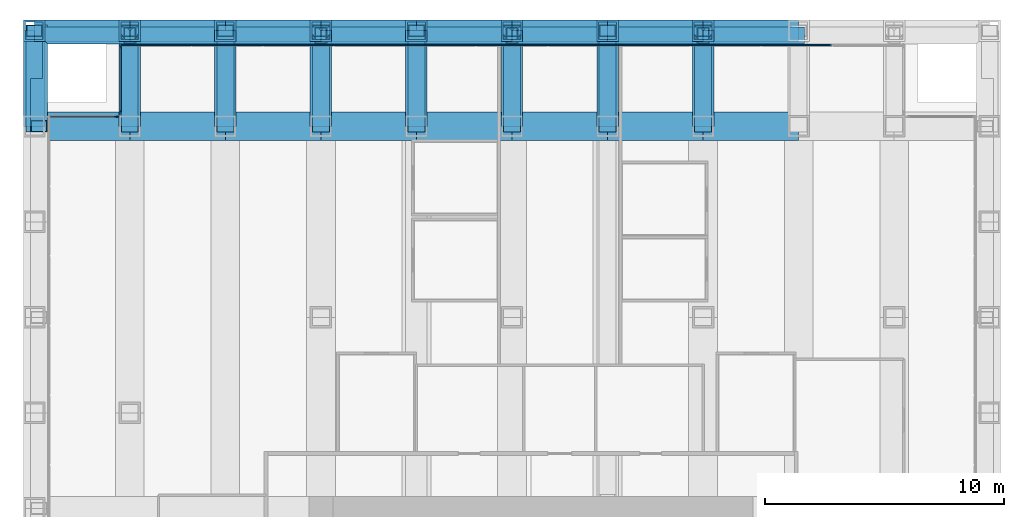
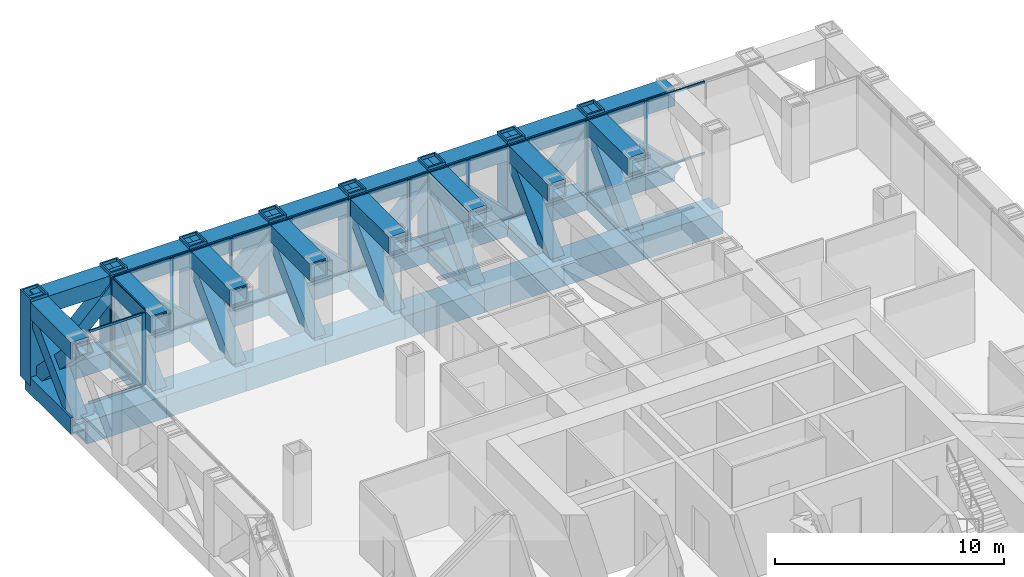
# One storey, part 7 of 16: 62 members, 40 beams, 3 elements without a shape of their own.
"""IFC4 building model written with IfcOpenShell, lengths in metres."""

from ifc_helpers import new_model, si_unit, direction, frame, origin, origin_2d, place, context, subcontext, project, spatial, rectangle, hollow_rectangle, extrude, material, material_profile, profile_set, type_object, element, aggregate, save


model = new_model("IFC4")

# Units and contexts
model_context = context("Model", 3, precision=1e-05, world=origin(), true_north=direction((0.0, 1.0)))
body_context = subcontext(model_context, "Body", "Model", "MODEL_VIEW")
ifc_project = project(units=[si_unit("LENGTHUNIT", "METRE"), si_unit("AREAUNIT", "SQUARE_METRE"), si_unit("VOLUMEUNIT", "CUBIC_METRE"), si_unit("PLANEANGLEUNIT", "RADIAN"), si_unit("MASSUNIT", "GRAM", prefix="KILO")], contexts=[model_context])

# Site, building, storey
site_placement = place(None, origin())
site = spatial("IfcSite", under=ifc_project, at=site_placement, CompositionType="ELEMENT")
building_placement = place(site_placement, origin())
building = spatial("IfcBuilding", under=site, at=building_placement, Name="Rimbunsela Tower", CompositionType="ELEMENT")
storey_placement = place(building_placement, frame((0.0, 0.0, 171.800048828125)))
storey = spatial("IfcBuildingStorey", under=building, at=storey_placement, Name="L41", CompositionType="ELEMENT", Elevation=171.800048828125)

# Beams
ifc_material_1 = material(Name="Steel BJ 55 (fy 410 MPa)", Category="steel")
ifc_material_profile_1 = material_profile(ifc_material_1, hollow_rectangle(XDim=1.199951171875, YDim=1.199951171875, WallThickness=0.125, at=origin_2d()), Name="BOX 1200x1200x125")
ifc_profile_set_1 = profile_set([ifc_material_profile_1], Name="Steel BJ 55 (fy 410 MPa)")
beam_type_1 = type_object("IfcBeamType", Name="Beam BOX 1200x1200x125", PredefinedType="BEAM", material=ifc_profile_set_1)
for number, where, z_axis, x_axis, name in (
    (1, (6.0, 52.0, -0.75), (1.0, 0.0, 0.0), (0.0, 1.0, 0.0), "Beam B4 L41"),
    (2, (10.0, 52.0, -0.75), (1.0, 0.0, 0.0), (0.0, 1.0, 0.0), "Beam B4 L41"),
    (3, (14.0, 52.0, -0.75), (1.0, 0.0, 0.0), (0.0, 1.0, 0.0), "Beam B4 L41"),
    (4, (18.0, 52.0, -0.75), (1.0, 0.0, 0.0), (0.0, 1.0, 0.0), "Beam B4 L41"),
    (5, (22.0, 52.0, -0.75), (1.0, 0.0, 0.0), (0.0, 1.0, 0.0), "Beam B4 L41"),
    (6, (26.0, 52.0, -0.75), (1.0, 0.0, 0.0), (0.0, 1.0, 0.0), "Beam B4 L41"),
    (7, (30.0, 52.0, -0.75), (1.0, 0.0, 0.0), (0.0, 1.0, 0.0), "Beam B4 L41"),
    (8, (34.0, 52.0, -0.75), (1.0, 0.0, 0.0), (0.0, 1.0, 0.0), "Beam B4 L41"),
):
    element("IfcBeam", number, at=place(storey_placement, frame(where, z_axis=z_axis, x_axis=x_axis)), inside=storey, type_object=beam_type_1, Name=name, PredefinedType="BEAM", context=body_context, shape_type="SweptSolid", body=[
        extrude(hollow_rectangle(XDim=1.199951171875, YDim=1.199951171875, WallThickness=0.125, at=origin_2d()), origin(), (0.0, 0.0, 1.0), 4.0),
    ])

# Curtain wall, members
ifc_material_2 = material(Name="Aluminium curtain wall", Category="aluminium")
curtain_wall_type_1 = type_object("IfcCurtainWallType", Name="Exoskeleton storey infill", PredefinedType="USERDEFINED", material=ifc_material_2)
curtain_wall_1_placement = place(storey_placement, origin())
curtain_wall_1 = element("IfcCurtainWall", 9, at=curtain_wall_1_placement, inside=storey, type_object=curtain_wall_type_1, Name="Exoskeleton storey infill L41", ObjectType="EXOSKELETON STOREY INFILL", PredefinedType="USERDEFINED")
ifc_material_3 = material(Name="Aluminium mullion", Category="aluminium")
ifc_material_profile_2 = material_profile(ifc_material_3, rectangle(XDim=0.06005859375, YDim=0.159912109375, at=origin_2d()), Name="Mullion 60x160")
ifc_profile_set_2 = profile_set([ifc_material_profile_2], Name="Aluminium mullion")
member_type_1 = type_object("IfcMemberType", Name="Curtain wall mullion 60x160", PredefinedType="MULLION", material=ifc_profile_set_2)
member_1_placement = place(storey_placement, frame((36.436279296875, 55.39990234375, 0.0), z_axis=(0.0, 0.0, 1.0), x_axis=(0.0, -1.0, 0.0)))
member_1 = element("IfcMember", 10, at=member_1_placement, type_object=member_type_1, Name="CW2 mullion 3", PredefinedType="MULLION", context=body_context, shape_type="SweptSolid", body=[
    extrude(rectangle(XDim=0.06005859375, YDim=0.159912109375, at=origin_2d()), origin(), (0.0, 0.0, 1.0), 3.849853515625),
])
member_2_placement = place(storey_placement, frame((33.45458984375, 55.39990234375, 0.0), z_axis=(0.0, 0.0, 1.0), x_axis=(0.0, -1.0, 0.0)))
member_2 = element("IfcMember", 11, at=member_2_placement, type_object=member_type_1, Name="CW2 mullion 4", PredefinedType="MULLION", context=body_context, shape_type="SweptSolid", body=[
    extrude(rectangle(XDim=0.06005859375, YDim=0.159912109375, at=origin_2d()), origin(), (0.0, 0.0, 1.0), 3.849853515625),
])
member_3_placement = place(storey_placement, frame((30.47265625, 55.39990234375, 0.0), z_axis=(0.0, 0.0, 1.0), x_axis=(0.0, -1.0, 0.0)))
member_3 = element("IfcMember", 12, at=member_3_placement, type_object=member_type_1, Name="CW2 mullion 5", PredefinedType="MULLION", context=body_context, shape_type="SweptSolid", body=[
    extrude(rectangle(XDim=0.06005859375, YDim=0.159912109375, at=origin_2d()), origin(), (0.0, 0.0, 1.0), 3.849853515625),
])
member_4_placement = place(storey_placement, frame((27.490966796875, 55.39990234375, 0.0), z_axis=(0.0, 0.0, 1.0), x_axis=(0.0, -1.0, 0.0)))
member_4 = element("IfcMember", 13, at=member_4_placement, type_object=member_type_1, Name="CW2 mullion 6", PredefinedType="MULLION", context=body_context, shape_type="SweptSolid", body=[
    extrude(rectangle(XDim=0.06005859375, YDim=0.159912109375, at=origin_2d()), origin(), (0.0, 0.0, 1.0), 3.849853515625),
])
member_5_placement = place(storey_placement, frame((24.509033203125, 55.39990234375, 0.0), z_axis=(0.0, 0.0, 1.0), x_axis=(0.0, -1.0, 0.0)))
member_5 = element("IfcMember", 14, at=member_5_placement, type_object=member_type_1, Name="CW2 mullion 7", PredefinedType="MULLION", context=body_context, shape_type="SweptSolid", body=[
    extrude(rectangle(XDim=0.06005859375, YDim=0.159912109375, at=origin_2d()), origin(), (0.0, 0.0, 1.0), 3.849853515625),
])
member_6_placement = place(storey_placement, frame((21.52734375, 55.39990234375, 0.0), z_axis=(0.0, 0.0, 1.0), x_axis=(0.0, -1.0, 0.0)))
member_6 = element("IfcMember", 15, at=member_6_placement, type_object=member_type_1, Name="CW2 mullion 8", PredefinedType="MULLION", context=body_context, shape_type="SweptSolid", body=[
    extrude(rectangle(XDim=0.06005859375, YDim=0.159912109375, at=origin_2d()), origin(), (0.0, 0.0, 1.0), 3.849853515625),
])
member_7_placement = place(storey_placement, frame((18.54541015625, 55.39990234375, 0.0), z_axis=(0.0, 0.0, 1.0), x_axis=(0.0, -1.0, 0.0)))
member_7 = element("IfcMember", 16, at=member_7_placement, type_object=member_type_1, Name="CW2 mullion 9", PredefinedType="MULLION", context=body_context, shape_type="SweptSolid", body=[
    extrude(rectangle(XDim=0.06005859375, YDim=0.159912109375, at=origin_2d()), origin(), (0.0, 0.0, 1.0), 3.849853515625),
])
member_8_placement = place(storey_placement, frame((15.563720703125, 55.39990234375, 0.0), z_axis=(0.0, 0.0, 1.0), x_axis=(0.0, -1.0, 0.0)))
member_8 = element("IfcMember", 17, at=member_8_placement, type_object=member_type_1, Name="CW2 mullion 10", PredefinedType="MULLION", context=body_context, shape_type="SweptSolid", body=[
    extrude(rectangle(XDim=0.06005859375, YDim=0.159912109375, at=origin_2d()), origin(), (0.0, 0.0, 1.0), 3.849853515625),
])
member_9_placement = place(storey_placement, frame((12.581787109375, 55.39990234375, 0.0), z_axis=(0.0, 0.0, 1.0), x_axis=(0.0, -1.0, 0.0)))
member_9 = element("IfcMember", 18, at=member_9_placement, type_object=member_type_1, Name="CW2 mullion 11", PredefinedType="MULLION", context=body_context, shape_type="SweptSolid", body=[
    extrude(rectangle(XDim=0.06005859375, YDim=0.159912109375, at=origin_2d()), origin(), (0.0, 0.0, 1.0), 3.849853515625),
])
member_10_placement = place(storey_placement, frame((9.6298828125, 55.39990234375, 0.0), z_axis=(0.0, 0.0, 1.0), x_axis=(0.0, -1.0, 0.0)))
member_10 = element("IfcMember", 19, at=member_10_placement, type_object=member_type_1, Name="CW2 mullion 12", PredefinedType="MULLION", context=body_context, shape_type="SweptSolid", body=[
    extrude(rectangle(XDim=0.06005859375, YDim=0.159912109375, at=origin_2d()), origin(), (0.0, 0.0, 1.0), 3.849853515625),
])

ifc_material_4 = material(Name="Aluminium curtain wall", Category="aluminium")
curtain_wall_type_2 = type_object("IfcCurtainWallType", Name="Spandrel wall", PredefinedType="USERDEFINED", material=ifc_material_4)
curtain_wall_2_placement = place(storey_placement, origin())
curtain_wall_2 = element("IfcCurtainWall", 20, at=curtain_wall_2_placement, inside=storey, type_object=curtain_wall_type_2, Name="Spandrel wall L41", ObjectType="SPANDREL WALL", PredefinedType="USERDEFINED")
member_11_placement = place(storey_placement, frame((9.60009765625, 55.3701171875, 0.0), z_axis=(0.0, 0.0, 1.0), x_axis=(1.0, 0.0, 0.0)))
member_11 = element("IfcMember", 21, at=member_11_placement, type_object=member_type_1, Name="CW7 mullion 1", PredefinedType="MULLION", context=body_context, shape_type="SweptSolid", body=[
    extrude(rectangle(XDim=0.06005859375, YDim=0.159912109375, at=origin_2d()), origin(), (0.0, 0.0, 1.0), 3.849853515625),
])
member_12_placement = place(storey_placement, frame((9.60009765625, 52.580078125, 0.0), z_axis=(0.0, 0.0, 1.0), x_axis=(1.0, 0.0, 0.0)))
member_12 = element("IfcMember", 22, at=member_12_placement, type_object=member_type_1, Name="CW7 mullion 2", PredefinedType="MULLION", context=body_context, shape_type="SweptSolid", body=[
    extrude(rectangle(XDim=0.06005859375, YDim=0.159912109375, at=origin_2d()), origin(), (0.0, 0.0, 1.0), 3.849853515625),
])

# Curtain wall, member
ifc_material_5 = material(Name="Aluminium curtain wall", Category="aluminium")
curtain_wall_type_3 = type_object("IfcCurtainWallType", Name="Corner glazing", PredefinedType="USERDEFINED", material=ifc_material_5)
curtain_wall_3_placement = place(storey_placement, origin())
curtain_wall_3 = element("IfcCurtainWall", 23, at=curtain_wall_3_placement, inside=storey, type_object=curtain_wall_type_3, Name="Corner glazing L41", ObjectType="CORNER GLAZING", PredefinedType="USERDEFINED")
member_13_placement = place(storey_placement, frame((9.419921875, 52.39990234375, 0.0), z_axis=(0.0, 0.0, 1.0), x_axis=(0.0, -1.0, 0.0)))
member_13 = element("IfcMember", 24, at=member_13_placement, type_object=member_type_1, Name="CW5 mullion 1", PredefinedType="MULLION", context=body_context, shape_type="SweptSolid", body=[
    extrude(rectangle(XDim=0.06005859375, YDim=0.159912109375, at=origin_2d()), origin(), (0.0, 0.0, 1.0), 3.849853515625),
])

# Member
ifc_material_6 = material(Name="Aluminium transom", Category="aluminium")
ifc_material_profile_3 = material_profile(ifc_material_6, rectangle(XDim=0.06005859375, YDim=0.1201171875, at=origin_2d()), Name="Transom 60x120")
ifc_profile_set_3 = profile_set([ifc_material_profile_3], Name="Aluminium transom")
member_type_2 = type_object("IfcMemberType", Name="Curtain wall transom 60x120", PredefinedType="USERDEFINED", material=ifc_profile_set_3)
member_14_placement = place(storey_placement, frame((39.38818359375, 55.39990234375, 0.030029296875), z_axis=(-1.0, 0.0, 0.0), x_axis=(0.0, -1.0, 0.0)))
member_14 = element("IfcMember", 25, at=member_14_placement, type_object=member_type_2, Name="CW2 transom 2.1", ObjectType="TRANSOM", PredefinedType="USERDEFINED", context=body_context, shape_type="SweptSolid", body=[
    extrude(rectangle(XDim=0.06005859375, YDim=0.1201171875, at=origin_2d()), origin(), (0.0, 0.0, 1.0), 2.921875),
])

member_15_placement = place(storey_placement, frame((39.38818359375, 55.39990234375, 3.820068359375), z_axis=(-1.0, 0.0, 0.0), x_axis=(0.0, -1.0, 0.0)))
member_15 = element("IfcMember", 26, at=member_15_placement, type_object=member_type_2, Name="CW2 transom 2.2", ObjectType="TRANSOM", PredefinedType="USERDEFINED", context=body_context, shape_type="SweptSolid", body=[
    extrude(rectangle(XDim=0.06005859375, YDim=0.1201171875, at=origin_2d()), origin(), (0.0, 0.0, 1.0), 2.921875),
])

member_16_placement = place(storey_placement, frame((36.40625, 55.39990234375, 0.030029296875), z_axis=(-1.0, 0.0, 0.0), x_axis=(0.0, -1.0, 0.0)))
member_16 = element("IfcMember", 27, at=member_16_placement, type_object=member_type_2, Name="CW2 transom 3.1", ObjectType="TRANSOM", PredefinedType="USERDEFINED", context=body_context, shape_type="SweptSolid", body=[
    extrude(rectangle(XDim=0.06005859375, YDim=0.1201171875, at=origin_2d()), origin(), (0.0, 0.0, 1.0), 2.921630859375),
])

member_17_placement = place(storey_placement, frame((36.40625, 55.39990234375, 3.820068359375), z_axis=(-1.0, 0.0, 0.0), x_axis=(0.0, -1.0, 0.0)))
member_17 = element("IfcMember", 28, at=member_17_placement, type_object=member_type_2, Name="CW2 transom 3.2", ObjectType="TRANSOM", PredefinedType="USERDEFINED", context=body_context, shape_type="SweptSolid", body=[
    extrude(rectangle(XDim=0.06005859375, YDim=0.1201171875, at=origin_2d()), origin(), (0.0, 0.0, 1.0), 2.921630859375),
])

member_18_placement = place(storey_placement, frame((33.424560546875, 55.39990234375, 0.030029296875), z_axis=(-1.0, 0.0, 0.0), x_axis=(0.0, -1.0, 0.0)))
member_18 = element("IfcMember", 29, at=member_18_placement, type_object=member_type_2, Name="CW2 transom 4.1", ObjectType="TRANSOM", PredefinedType="USERDEFINED", context=body_context, shape_type="SweptSolid", body=[
    extrude(rectangle(XDim=0.06005859375, YDim=0.1201171875, at=origin_2d()), origin(), (0.0, 0.0, 1.0), 2.921875),
])

member_19_placement = place(storey_placement, frame((33.424560546875, 55.39990234375, 3.820068359375), z_axis=(-1.0, 0.0, 0.0), x_axis=(0.0, -1.0, 0.0)))
member_19 = element("IfcMember", 30, at=member_19_placement, type_object=member_type_2, Name="CW2 transom 4.2", ObjectType="TRANSOM", PredefinedType="USERDEFINED", context=body_context, shape_type="SweptSolid", body=[
    extrude(rectangle(XDim=0.06005859375, YDim=0.1201171875, at=origin_2d()), origin(), (0.0, 0.0, 1.0), 2.921875),
])

member_20_placement = place(storey_placement, frame((30.442626953125, 55.39990234375, 0.030029296875), z_axis=(-1.0, 0.0, 0.0), x_axis=(0.0, -1.0, 0.0)))
member_20 = element("IfcMember", 31, at=member_20_placement, type_object=member_type_2, Name="CW2 transom 5.1", ObjectType="TRANSOM", PredefinedType="USERDEFINED", context=body_context, shape_type="SweptSolid", body=[
    extrude(rectangle(XDim=0.06005859375, YDim=0.1201171875, at=origin_2d()), origin(), (0.0, 0.0, 1.0), 2.921630859375),
])

member_21_placement = place(storey_placement, frame((30.442626953125, 55.39990234375, 3.820068359375), z_axis=(-1.0, 0.0, 0.0), x_axis=(0.0, -1.0, 0.0)))
member_21 = element("IfcMember", 32, at=member_21_placement, type_object=member_type_2, Name="CW2 transom 5.2", ObjectType="TRANSOM", PredefinedType="USERDEFINED", context=body_context, shape_type="SweptSolid", body=[
    extrude(rectangle(XDim=0.06005859375, YDim=0.1201171875, at=origin_2d()), origin(), (0.0, 0.0, 1.0), 2.921630859375),
])

member_22_placement = place(storey_placement, frame((27.4609375, 55.39990234375, 0.030029296875), z_axis=(-1.0, 0.0, 0.0), x_axis=(0.0, -1.0, 0.0)))
member_22 = element("IfcMember", 33, at=member_22_placement, type_object=member_type_2, Name="CW2 transom 6.1", ObjectType="TRANSOM", PredefinedType="USERDEFINED", context=body_context, shape_type="SweptSolid", body=[
    extrude(rectangle(XDim=0.06005859375, YDim=0.1201171875, at=origin_2d()), origin(), (0.0, 0.0, 1.0), 2.921875),
])

member_23_placement = place(storey_placement, frame((27.4609375, 55.39990234375, 3.820068359375), z_axis=(-1.0, 0.0, 0.0), x_axis=(0.0, -1.0, 0.0)))
member_23 = element("IfcMember", 34, at=member_23_placement, type_object=member_type_2, Name="CW2 transom 6.2", ObjectType="TRANSOM", PredefinedType="USERDEFINED", context=body_context, shape_type="SweptSolid", body=[
    extrude(rectangle(XDim=0.06005859375, YDim=0.1201171875, at=origin_2d()), origin(), (0.0, 0.0, 1.0), 2.921875),
])

member_24_placement = place(storey_placement, frame((24.47900390625, 55.39990234375, 0.030029296875), z_axis=(-1.0, 0.0, 0.0), x_axis=(0.0, -1.0, 0.0)))
member_24 = element("IfcMember", 35, at=member_24_placement, type_object=member_type_2, Name="CW2 transom 7.1", ObjectType="TRANSOM", PredefinedType="USERDEFINED", context=body_context, shape_type="SweptSolid", body=[
    extrude(rectangle(XDim=0.06005859375, YDim=0.1201171875, at=origin_2d()), origin(), (0.0, 0.0, 1.0), 2.921630859375),
])

member_25_placement = place(storey_placement, frame((24.47900390625, 55.39990234375, 3.820068359375), z_axis=(-1.0, 0.0, 0.0), x_axis=(0.0, -1.0, 0.0)))
member_25 = element("IfcMember", 36, at=member_25_placement, type_object=member_type_2, Name="CW2 transom 7.2", ObjectType="TRANSOM", PredefinedType="USERDEFINED", context=body_context, shape_type="SweptSolid", body=[
    extrude(rectangle(XDim=0.06005859375, YDim=0.1201171875, at=origin_2d()), origin(), (0.0, 0.0, 1.0), 2.921630859375),
])

member_26_placement = place(storey_placement, frame((21.497314453125, 55.39990234375, 0.030029296875), z_axis=(-1.0, 0.0, 0.0), x_axis=(0.0, -1.0, 0.0)))
member_26 = element("IfcMember", 37, at=member_26_placement, type_object=member_type_2, Name="CW2 transom 8.1", ObjectType="TRANSOM", PredefinedType="USERDEFINED", context=body_context, shape_type="SweptSolid", body=[
    extrude(rectangle(XDim=0.06005859375, YDim=0.1201171875, at=origin_2d()), origin(), (0.0, 0.0, 1.0), 2.921875),
])

member_27_placement = place(storey_placement, frame((21.497314453125, 55.39990234375, 3.820068359375), z_axis=(-1.0, 0.0, 0.0), x_axis=(0.0, -1.0, 0.0)))
member_27 = element("IfcMember", 38, at=member_27_placement, type_object=member_type_2, Name="CW2 transom 8.2", ObjectType="TRANSOM", PredefinedType="USERDEFINED", context=body_context, shape_type="SweptSolid", body=[
    extrude(rectangle(XDim=0.06005859375, YDim=0.1201171875, at=origin_2d()), origin(), (0.0, 0.0, 1.0), 2.921875),
])

member_28_placement = place(storey_placement, frame((18.515380859375, 55.39990234375, 0.030029296875), z_axis=(-1.0, 0.0, 0.0), x_axis=(0.0, -1.0, 0.0)))
member_28 = element("IfcMember", 39, at=member_28_placement, type_object=member_type_2, Name="CW2 transom 9.1", ObjectType="TRANSOM", PredefinedType="USERDEFINED", context=body_context, shape_type="SweptSolid", body=[
    extrude(rectangle(XDim=0.06005859375, YDim=0.1201171875, at=origin_2d()), origin(), (0.0, 0.0, 1.0), 2.921630859375),
])

member_29_placement = place(storey_placement, frame((18.515380859375, 55.39990234375, 3.820068359375), z_axis=(-1.0, 0.0, 0.0), x_axis=(0.0, -1.0, 0.0)))
member_29 = element("IfcMember", 40, at=member_29_placement, type_object=member_type_2, Name="CW2 transom 9.2", ObjectType="TRANSOM", PredefinedType="USERDEFINED", context=body_context, shape_type="SweptSolid", body=[
    extrude(rectangle(XDim=0.06005859375, YDim=0.1201171875, at=origin_2d()), origin(), (0.0, 0.0, 1.0), 2.921630859375),
])

member_30_placement = place(storey_placement, frame((15.53369140625, 55.39990234375, 0.030029296875), z_axis=(-1.0, 0.0, 0.0), x_axis=(0.0, -1.0, 0.0)))
member_30 = element("IfcMember", 41, at=member_30_placement, type_object=member_type_2, Name="CW2 transom 10.1", ObjectType="TRANSOM", PredefinedType="USERDEFINED", context=body_context, shape_type="SweptSolid", body=[
    extrude(rectangle(XDim=0.06005859375, YDim=0.1201171875, at=origin_2d()), origin(), (0.0, 0.0, 1.0), 2.921875),
])

member_31_placement = place(storey_placement, frame((15.53369140625, 55.39990234375, 3.820068359375), z_axis=(-1.0, 0.0, 0.0), x_axis=(0.0, -1.0, 0.0)))
member_31 = element("IfcMember", 42, at=member_31_placement, type_object=member_type_2, Name="CW2 transom 10.2", ObjectType="TRANSOM", PredefinedType="USERDEFINED", context=body_context, shape_type="SweptSolid", body=[
    extrude(rectangle(XDim=0.06005859375, YDim=0.1201171875, at=origin_2d()), origin(), (0.0, 0.0, 1.0), 2.921875),
])

member_32_placement = place(storey_placement, frame((12.5517578125, 55.39990234375, 0.030029296875), z_axis=(-1.0, 0.0, 0.0), x_axis=(0.0, -1.0, 0.0)))
member_32 = element("IfcMember", 43, at=member_32_placement, type_object=member_type_2, Name="CW2 transom 11.1", ObjectType="TRANSOM", PredefinedType="USERDEFINED", context=body_context, shape_type="SweptSolid", body=[
    extrude(rectangle(XDim=0.06005859375, YDim=0.1201171875, at=origin_2d()), origin(), (0.0, 0.0, 1.0), 2.891845703125),
])

member_33_placement = place(storey_placement, frame((12.5517578125, 55.39990234375, 3.820068359375), z_axis=(-1.0, 0.0, 0.0), x_axis=(0.0, -1.0, 0.0)))
member_33 = element("IfcMember", 44, at=member_33_placement, type_object=member_type_2, Name="CW2 transom 11.2", ObjectType="TRANSOM", PredefinedType="USERDEFINED", context=body_context, shape_type="SweptSolid", body=[
    extrude(rectangle(XDim=0.06005859375, YDim=0.1201171875, at=origin_2d()), origin(), (0.0, 0.0, 1.0), 2.891845703125),
])

aggregate(curtain_wall_1, [member_1, member_2, member_3, member_4, member_5, member_6, member_7, member_8, member_9, member_10, member_14, member_15, member_16, member_17, member_18, member_19, member_20, member_21, member_22, member_23, member_24, member_25, member_26, member_27, member_28, member_29, member_30, member_31, member_32, member_33])

member_34_placement = place(storey_placement, frame((9.60009765625, 55.340087890625, 0.030029296875), z_axis=(0.0, -1.0, 0.0), x_axis=(1.0, 0.0, 0.0)))
member_34 = element("IfcMember", 45, at=member_34_placement, type_object=member_type_2, Name="CW7 transom 1.1", ObjectType="TRANSOM", PredefinedType="USERDEFINED", context=body_context, shape_type="SweptSolid", body=[
    extrude(rectangle(XDim=0.06005859375, YDim=0.1201171875, at=origin_2d()), origin(), (0.0, 0.0, 1.0), 2.72998046875),
])

member_35_placement = place(storey_placement, frame((9.60009765625, 55.340087890625, 3.820068359375), z_axis=(0.0, -1.0, 0.0), x_axis=(1.0, 0.0, 0.0)))
member_35 = element("IfcMember", 46, at=member_35_placement, type_object=member_type_2, Name="CW7 transom 1.2", ObjectType="TRANSOM", PredefinedType="USERDEFINED", context=body_context, shape_type="SweptSolid", body=[
    extrude(rectangle(XDim=0.06005859375, YDim=0.1201171875, at=origin_2d()), origin(), (0.0, 0.0, 1.0), 2.72998046875),
])

aggregate(curtain_wall_2, [member_11, member_12, member_34, member_35])

member_36_placement = place(storey_placement, frame((9.389892578125, 52.39990234375, 0.030029296875), z_axis=(-1.0, 0.0, 0.0), x_axis=(0.0, -1.0, 0.0)))
member_36 = element("IfcMember", 47, at=member_36_placement, type_object=member_type_2, Name="CW5 transom 1.1", ObjectType="TRANSOM", PredefinedType="USERDEFINED", context=body_context, shape_type="SweptSolid", body=[
    extrude(rectangle(XDim=0.06005859375, YDim=0.1201171875, at=origin_2d()), origin(), (0.0, 0.0, 1.0), 2.72998046875),
])

member_37_placement = place(storey_placement, frame((9.389892578125, 52.39990234375, 3.820068359375), z_axis=(-1.0, 0.0, 0.0), x_axis=(0.0, -1.0, 0.0)))
member_37 = element("IfcMember", 48, at=member_37_placement, type_object=member_type_2, Name="CW5 transom 1.2", ObjectType="TRANSOM", PredefinedType="USERDEFINED", context=body_context, shape_type="SweptSolid", body=[
    extrude(rectangle(XDim=0.06005859375, YDim=0.1201171875, at=origin_2d()), origin(), (0.0, 0.0, 1.0), 2.72998046875),
])

aggregate(curtain_wall_3, [member_13, member_36, member_37])

# Beams
ifc_material_7 = material(Name="Steel BJ 55 (fy 410 MPa)", Category="steel")
ifc_material_profile_4 = material_profile(ifc_material_7, hollow_rectangle(XDim=0.89990234375, YDim=0.89990234375, WallThickness=0.080078125, at=origin_2d()), Name="BOX 900x900x80")
ifc_profile_set_4 = profile_set([ifc_material_profile_4], Name="Steel BJ 55 (fy 410 MPa)")
beam_type_2 = type_object("IfcBeamType", Name="Truss chord BOX 900x900x80", PredefinedType="USERDEFINED", material=ifc_profile_set_4)
for number, where, z_axis, x_axis, name in (
    (49, (6.0, 56.0, 3.39990234375), (1.0, 0.0, 0.0), (0.0, 1.0, 0.0), "Truss top chord TC3 N face L41"),
    (50, (10.0, 56.0, 3.39990234375), (1.0, 0.0, 0.0), (0.0, 1.0, 0.0), "Truss top chord TC3 N face L41"),
    (51, (14.0, 56.0, 3.39990234375), (1.0, 0.0, 0.0), (0.0, 1.0, 0.0), "Truss top chord TC3 N face L41"),
    (52, (18.0, 56.0, 3.39990234375), (1.0, 0.0, 0.0), (0.0, 1.0, 0.0), "Truss top chord TC3 N face L41"),
    (53, (22.0, 56.0, 3.39990234375), (1.0, 0.0, 0.0), (0.0, 1.0, 0.0), "Truss top chord TC3 N face L41"),
    (54, (26.0, 56.0, 3.39990234375), (1.0, 0.0, 0.0), (0.0, 1.0, 0.0), "Truss top chord TC3 N face L41"),
    (55, (30.0, 56.0, 3.39990234375), (1.0, 0.0, 0.0), (0.0, 1.0, 0.0), "Truss top chord TC3 N face L41"),
    (56, (34.0, 56.0, 3.39990234375), (1.0, 0.0, 0.0), (0.0, 1.0, 0.0), "Truss top chord TC3 N face L41"),
    (57, (6.0, 52.0, 3.39990234375), (0.0, 1.0, 0.0), (-1.0, 0.0, 0.0), "Truss top chord TC3 W face L41"),
    (58, (6.0, 52.0, -0.60009765625), (0.0, 1.0, 0.0), (-1.0, 0.0, 0.0), "Truss bottom chord TC3 W face L41"),
    (59, (10.0, 52.0, -0.60009765625), (0.0, 1.0, 0.0), (-1.0, 0.0, 0.0), "Cantilever truss bottom chord TC3 5/R L41"),
    (60, (10.0, 52.0, 3.39990234375), (0.0, 1.0, 0.0), (-1.0, 0.0, 0.0), "Cantilever truss top chord TC3 5/R L41"),
    (61, (14.0, 52.0, -0.60009765625), (0.0, 1.0, 0.0), (-1.0, 0.0, 0.0), "Cantilever truss bottom chord TC3 6/R L41"),
    (62, (14.0, 52.0, 3.39990234375), (0.0, 1.0, 0.0), (-1.0, 0.0, 0.0), "Cantilever truss top chord TC3 6/R L41"),
    (63, (18.0, 52.0, -0.60009765625), (0.0, 1.0, 0.0), (-1.0, 0.0, 0.0), "Cantilever truss bottom chord TC3 7/R L41"),
    (64, (18.0, 52.0, 3.39990234375), (0.0, 1.0, 0.0), (-1.0, 0.0, 0.0), "Cantilever truss top chord TC3 7/R L41"),
    (65, (22.0, 52.0, -0.60009765625), (0.0, 1.0, 0.0), (-1.0, 0.0, 0.0), "Cantilever truss bottom chord TC3 8/R L41"),
    (66, (22.0, 52.0, 3.39990234375), (0.0, 1.0, 0.0), (-1.0, 0.0, 0.0), "Cantilever truss top chord TC3 8/R L41"),
    (67, (26.0, 52.0, -0.60009765625), (0.0, 1.0, 0.0), (-1.0, 0.0, 0.0), "Cantilever truss bottom chord TC3 9/R L41"),
    (68, (26.0, 52.0, 3.39990234375), (0.0, 1.0, 0.0), (-1.0, 0.0, 0.0), "Cantilever truss top chord TC3 9/R L41"),
    (69, (30.0, 52.0, -0.60009765625), (0.0, 1.0, 0.0), (-1.0, 0.0, 0.0), "Cantilever truss bottom chord TC3 10/R L41"),
    (70, (30.0, 52.0, 3.39990234375), (0.0, 1.0, 0.0), (-1.0, 0.0, 0.0), "Cantilever truss top chord TC3 10/R L41"),
    (71, (34.0, 52.0, -0.60009765625), (0.0, 1.0, 0.0), (-1.0, 0.0, 0.0), "Cantilever truss bottom chord TC3 11/R L41"),
    (72, (34.0, 52.0, 3.39990234375), (0.0, 1.0, 0.0), (-1.0, 0.0, 0.0), "Cantilever truss top chord TC3 11/R L41"),
    (73, (6.0, 56.0, -0.60009765625), (1.0, 0.0, 0.0), (0.0, 1.0, 0.0), "Truss bottom chord TC3 N face L41"),
    (74, (10.0, 56.0, -0.60009765625), (1.0, 0.0, 0.0), (0.0, 1.0, 0.0), "Truss bottom chord TC3 N face L41"),
    (75, (14.0, 56.0, -0.60009765625), (1.0, 0.0, 0.0), (0.0, 1.0, 0.0), "Truss bottom chord TC3 N face L41"),
    (76, (18.0, 56.0, -0.60009765625), (1.0, 0.0, 0.0), (0.0, 1.0, 0.0), "Truss bottom chord TC3 N face L41"),
    (77, (22.0, 56.0, -0.60009765625), (1.0, 0.0, 0.0), (0.0, 1.0, 0.0), "Truss bottom chord TC3 N face L41"),
    (78, (26.0, 56.0, -0.60009765625), (1.0, 0.0, 0.0), (0.0, 1.0, 0.0), "Truss bottom chord TC3 N face L41"),
    (79, (30.0, 56.0, -0.60009765625), (1.0, 0.0, 0.0), (0.0, 1.0, 0.0), "Truss bottom chord TC3 N face L41"),
    (80, (34.0, 56.0, -0.60009765625), (1.0, 0.0, 0.0), (0.0, 1.0, 0.0), "Truss bottom chord TC3 N face L41"),
):
    element("IfcBeam", number, at=place(storey_placement, frame(where, z_axis=z_axis, x_axis=x_axis)), inside=storey, type_object=beam_type_2, Name=name, ObjectType="TRUSS CHORD", PredefinedType="USERDEFINED", context=body_context, shape_type="SweptSolid", body=[
        extrude(hollow_rectangle(XDim=0.89990234375, YDim=0.89990234375, WallThickness=0.080078125, at=origin_2d()), origin(), (0.0, 0.0, 1.0), 4.0),
    ])

# Members
ifc_material_8 = material(Name="Steel BJ 55 (fy 410 MPa)", Category="steel")
ifc_material_profile_5 = material_profile(ifc_material_8, hollow_rectangle(XDim=0.699951171875, YDim=0.699951171875, WallThickness=0.0400390625, at=origin_2d()), Name="BOX 700x700x40")
ifc_profile_set_5 = profile_set([ifc_material_profile_5], Name="Steel BJ 55 (fy 410 MPa)")
member_type_3 = type_object("IfcMemberType", Name="Truss diagonal BOX 700x700x40", PredefinedType="BRACE", material=ifc_profile_set_5)
for number, where, z_axis, x_axis, name in (
    (81, (6.0, 55.800048828125, -0.60009765625), (0.707106781187, 0.0, 0.707106781187), (0.0, 1.0, 0.0), "Truss diagonal TD3 N face L41"),
    (82, (10.0, 55.800048828125, 3.39990234375), (0.707106781187, 0.0, -0.707106781187), (0.0, 1.0, 0.0), "Truss diagonal TD3 N face L41"),
    (83, (14.0, 55.800048828125, -0.60009765625), (0.707106781187, 0.0, 0.707106781187), (0.0, 1.0, 0.0), "Truss diagonal TD3 N face L41"),
    (84, (18.0, 55.800048828125, 3.39990234375), (0.707106781187, 0.0, -0.707106781187), (0.0, 1.0, 0.0), "Truss diagonal TD3 N face L41"),
    (85, (22.0, 55.800048828125, -0.60009765625), (0.707106781187, 0.0, 0.707106781187), (0.0, 1.0, 0.0), "Truss diagonal TD3 N face L41"),
    (86, (26.0, 55.800048828125, 3.39990234375), (0.707106781187, 0.0, -0.707106781187), (0.0, 1.0, 0.0), "Truss diagonal TD3 N face L41"),
    (87, (30.0, 55.800048828125, -0.60009765625), (0.707106781187, 0.0, 0.707106781187), (0.0, 1.0, 0.0), "Truss diagonal TD3 N face L41"),
    (88, (34.0, 55.800048828125, 3.39990234375), (0.707106781187, 0.0, -0.707106781187), (0.0, 1.0, 0.0), "Truss diagonal TD3 N face L41"),
    (89, (6.199951171875, 52.0, 3.39990234375), (0.0, 0.707106781187, -0.707106781187), (-1.0, 0.0, 0.0), "Truss diagonal TD3 W face L41"),
    (90, (6.0, 52.0, -0.60009765625), (0.0, 0.707106781187, 0.707106781187), (-1.0, 0.0, 0.0), "Cantilever truss diagonal TD3 4/R L41"),
    (91, (10.0, 52.0, -0.60009765625), (0.0, 0.707106781187, 0.707106781187), (-1.0, 0.0, 0.0), "Cantilever truss diagonal TD3 5/R L41"),
    (92, (14.0, 52.0, -0.60009765625), (0.0, 0.707106781187, 0.707106781187), (-1.0, 0.0, 0.0), "Cantilever truss diagonal TD3 6/R L41"),
    (93, (18.0, 52.0, -0.60009765625), (0.0, 0.707106781187, 0.707106781187), (-1.0, 0.0, 0.0), "Cantilever truss diagonal TD3 7/R L41"),
    (94, (22.0, 52.0, -0.60009765625), (0.0, 0.707106781187, 0.707106781187), (-1.0, 0.0, 0.0), "Cantilever truss diagonal TD3 8/R L41"),
    (95, (26.0, 52.0, -0.60009765625), (0.0, 0.707106781187, 0.707106781187), (-1.0, 0.0, 0.0), "Cantilever truss diagonal TD3 9/R L41"),
    (96, (30.0, 52.0, -0.60009765625), (0.0, 0.707106781187, 0.707106781187), (-1.0, 0.0, 0.0), "Cantilever truss diagonal TD3 10/R L41"),
    (97, (34.0, 52.0, -0.60009765625), (0.0, 0.707106781187, 0.707106781187), (-1.0, 0.0, 0.0), "Cantilever truss diagonal TD3 11/R L41"),
):
    element("IfcMember", number, at=place(storey_placement, frame(where, z_axis=z_axis, x_axis=x_axis)), inside=storey, type_object=member_type_3, Name=name, PredefinedType="BRACE", context=body_context, shape_type="SweptSolid", body=[
        extrude(hollow_rectangle(XDim=0.699951171875, YDim=0.699951171875, WallThickness=0.0400390625, at=origin_2d()), origin(), (0.0, 0.0, 1.0), 5.65673828125),
    ])
ifc_material_9 = material(Name="Steel BJ 55 (fy 410 MPa)", Category="steel")
ifc_material_profile_6 = material_profile(ifc_material_9, hollow_rectangle(XDim=0.89990234375, YDim=0.89990234375, WallThickness=0.080078125, at=origin_2d()), Name="BOX 900x900x80")
ifc_profile_set_6 = profile_set([ifc_material_profile_6], Name="Steel BJ 55 (fy 410 MPa)")
member_type_4 = type_object("IfcMemberType", Name="Truss post BOX 900x900x80", PredefinedType="POST", material=ifc_profile_set_6)
for number, where, z_axis, x_axis, name in (
    (98, (6.0, 56.0, -0.60009765625), (0.0, 0.0, 1.0), (1.0, 0.0, 0.0), "Truss post TP3 4/R L41"),
    (99, (10.0, 56.0, -0.60009765625), (0.0, 0.0, 1.0), (1.0, 0.0, 0.0), "Truss post TP3 5/R L41"),
    (100, (14.0, 56.0, -0.60009765625), (0.0, 0.0, 1.0), (1.0, 0.0, 0.0), "Truss post TP3 6/R L41"),
    (101, (18.0, 56.0, -0.60009765625), (0.0, 0.0, 1.0), (1.0, 0.0, 0.0), "Truss post TP3 7/R L41"),
    (102, (22.0, 56.0, -0.60009765625), (0.0, 0.0, 1.0), (1.0, 0.0, 0.0), "Truss post TP3 8/R L41"),
    (103, (26.0, 56.0, -0.60009765625), (0.0, 0.0, 1.0), (1.0, 0.0, 0.0), "Truss post TP3 9/R L41"),
    (104, (30.0, 56.0, -0.60009765625), (0.0, 0.0, 1.0), (1.0, 0.0, 0.0), "Truss post TP3 10/R L41"),
    (105, (34.0, 56.0, -0.60009765625), (0.0, 0.0, 1.0), (1.0, 0.0, 0.0), "Truss post TP3 11/R L41"),
):
    element("IfcMember", number, at=place(storey_placement, frame(where, z_axis=z_axis, x_axis=x_axis)), inside=storey, type_object=member_type_4, Name=name, PredefinedType="POST", context=body_context, shape_type="SweptSolid", body=[
        extrude(hollow_rectangle(XDim=0.89990234375, YDim=0.89990234375, WallThickness=0.080078125, at=origin_2d()), origin(), (0.0, 0.0, 1.0), 4.60009765625),
    ])

save(model, "model.ifc")
